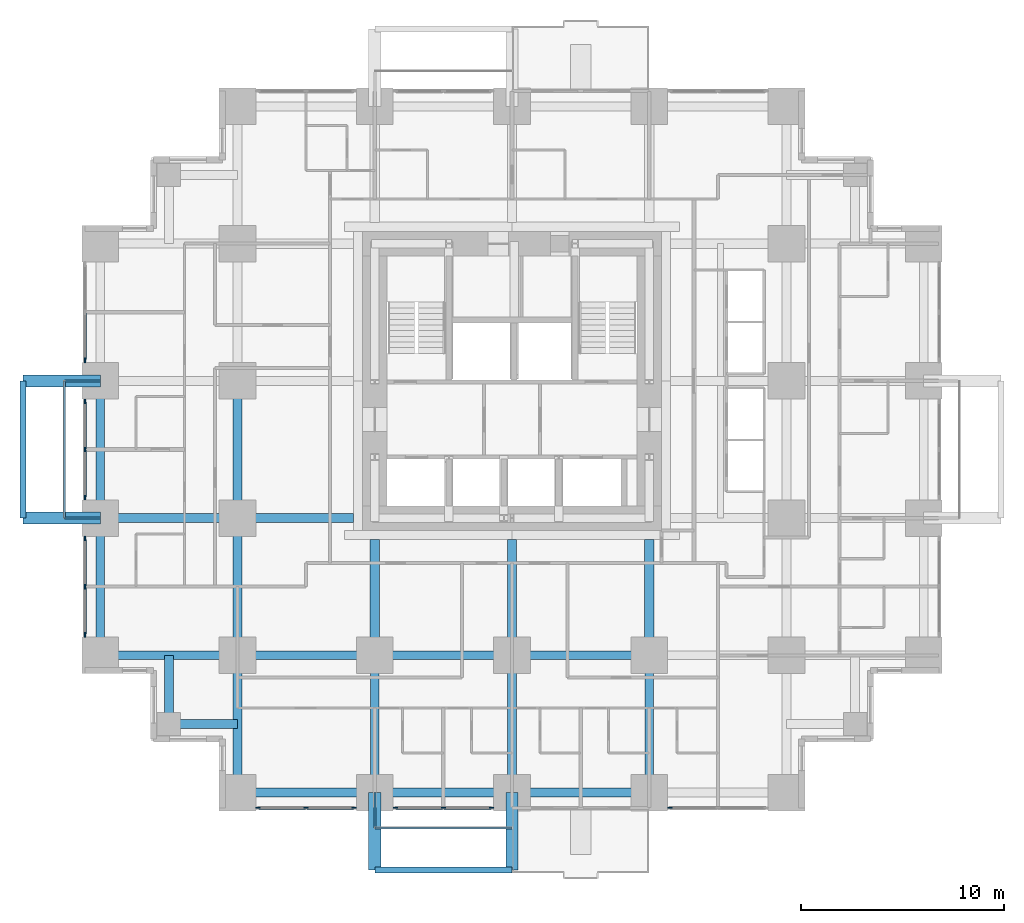
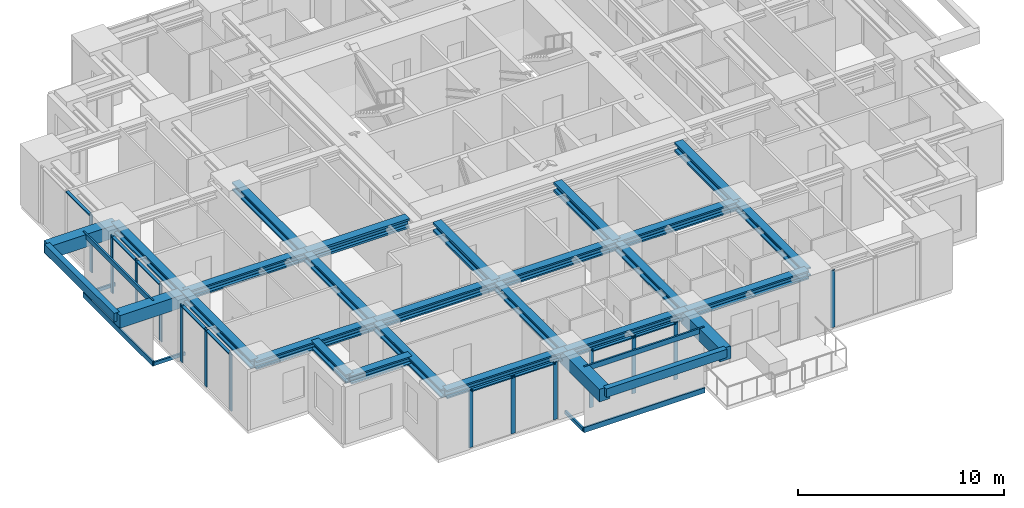
# One storey, part 2 of 12: 30 members, 28 beams, 6 elements without a shape of their own.
"""IFC4 building model written with IfcOpenShell, lengths in metres."""

from ifc_helpers import new_model, si_unit, direction, frame, origin, origin_2d, place, context, subcontext, project, spatial, rectangle, hollow_rectangle, i_section, extrude, material, material_profile, profile_set, type_object, element, aggregate, save


model = new_model("IFC4")

# Units and contexts
model_context = context("Model", 3, precision=1e-05, world=origin(), true_north=direction((0.0, 1.0)))
body_context = subcontext(model_context, "Body", "Model", "MODEL_VIEW")
ifc_project = project(units=[si_unit("LENGTHUNIT", "METRE"), si_unit("AREAUNIT", "SQUARE_METRE"), si_unit("VOLUMEUNIT", "CUBIC_METRE"), si_unit("PLANEANGLEUNIT", "RADIAN"), si_unit("MASSUNIT", "GRAM", prefix="KILO")], contexts=[model_context])

# Site, building, storey
site_placement = place(None, origin())
site = spatial("IfcSite", under=ifc_project, at=site_placement, CompositionType="ELEMENT")
building_placement = place(site_placement, origin())
building = spatial("IfcBuilding", under=site, at=building_placement, Name="Nyansa Garden Tower", CompositionType="ELEMENT")
storey_placement = place(building_placement, frame((0.0, 0.0, 90.89990234375)))
storey = spatial("IfcBuildingStorey", under=building, at=storey_placement, Name="L24", CompositionType="ELEMENT", Elevation=90.89990234375)

# Beams
ifc_material_1 = material(Name="Concrete C70/85", Category="concrete")
ifc_material_profile_1 = material_profile(ifc_material_1, rectangle(XDim=0.60009765625, YDim=0.75, at=origin_2d()), Name="RC 600x750")
ifc_profile_set_1 = profile_set([ifc_material_profile_1], Name="Concrete C70/85")
beam_type_1 = type_object("IfcBeamType", Name="Balcony cantilever beam CB1 RC 600x750", PredefinedType="BEAM", material=ifc_profile_set_1)
for number, where, z_axis, x_axis, name in (
    (1, (13.5, 0.0, 2.985107421875), (0.0, -1.0, 0.0), (1.0, 0.0, 0.0), "Balcony cantilever beam L25"),
    (2, (20.25, 0.0, 2.985107421875), (0.0, -1.0, 0.0), (1.0, 0.0, 0.0), "Balcony cantilever beam L25"),
    (3, (0.0, 13.5, 2.985107421875), (-1.0, 0.0, 0.0), (0.0, -1.0, 0.0), "Balcony cantilever beam L25"),
    (4, (0.0, 20.25, 2.985107421875), (-1.0, 0.0, 0.0), (0.0, -1.0, 0.0), "Balcony cantilever beam L25"),
):
    element("IfcBeam", number, at=place(storey_placement, frame(where, z_axis=z_axis, x_axis=x_axis)), inside=storey, type_object=beam_type_1, Name=name, PredefinedType="BEAM", context=body_context, shape_type="SweptSolid", body=[
        extrude(rectangle(XDim=0.60009765625, YDim=0.75, at=origin_2d()), origin(), (0.0, 0.0, 1.0), 3.800048828125),
    ])
ifc_material_2 = material(Name="Concrete C70/85", Category="concrete")
ifc_material_profile_2 = material_profile(ifc_material_2, rectangle(XDim=0.300048828125, YDim=0.5, at=origin_2d()), Name="RC 300x500")
ifc_profile_set_2 = profile_set([ifc_material_profile_2], Name="Concrete C70/85")
beam_type_2 = type_object("IfcBeamType", Name="Balcony edge beam BE1 RC 300x500", PredefinedType="BEAM", material=ifc_profile_set_2)
for number, where, z_axis, x_axis, name in (
    (5, (13.5, -3.800048828125, 3.110107421875), (1.0, 0.0, 0.0), (0.0, 1.0, 0.0), "Balcony edge beam L25"),
    (6, (-3.800048828125, 13.5, 3.110107421875), (0.0, 1.0, 0.0), (-1.0, 0.0, 0.0), "Balcony edge beam L25"),
):
    element("IfcBeam", number, at=place(storey_placement, frame(where, z_axis=z_axis, x_axis=x_axis)), inside=storey, type_object=beam_type_2, Name=name, PredefinedType="BEAM", context=body_context, shape_type="SweptSolid", body=[
        extrude(rectangle(XDim=0.300048828125, YDim=0.5, at=origin_2d()), origin(), (0.0, 0.0, 1.0), 6.75),
    ])

# Curtain wall, member
ifc_material_3 = material(Name="Black anodised aluminium, dark tinted double glazing", Category="aluminium")
curtain_wall_type = type_object("IfcCurtainWallType", Name="Inner skin curtain wall ISW-B", PredefinedType="USERDEFINED", material=ifc_material_3)
curtain_wall_1_placement = place(storey_placement, origin())
curtain_wall_1 = element("IfcCurtainWall", 7, at=curtain_wall_1_placement, inside=storey, type_object=curtain_wall_type, Name="Inner skin curtain wall L24 W", ObjectType="UNITISED CURTAIN WALL", PredefinedType="USERDEFINED")
ifc_material_4 = material(Name="Black anodised aluminium", Category="aluminium")
ifc_material_profile_3 = material_profile(ifc_material_4, rectangle(XDim=0.06494140625, YDim=0.22509765625, at=origin_2d()), Name="Mullion 225x65")
ifc_profile_set_3 = profile_set([ifc_material_profile_3], Name="Black anodised aluminium")
member_type_1 = type_object("IfcMemberType", Name="Mullion ISW-B 225x65", PredefinedType="MULLION", material=ifc_profile_set_3)
member_1_placement = place(storey_placement, frame((-0.75, 21.262451171875, 0.0), z_axis=(0.0, 0.0, 1.0), x_axis=(1.0, 0.0, 0.0)))
member_1 = element("IfcMember", 8, at=member_1_placement, type_object=member_type_1, Name="ISW-B mullion 3", PredefinedType="MULLION", context=body_context, shape_type="SweptSolid", body=[
    extrude(rectangle(XDim=0.06494140625, YDim=0.22509765625, at=origin_2d()), origin(), (0.0, 0.0, 1.0), 3.375),
])

# Curtain wall, members
curtain_wall_2_placement = place(storey_placement, origin())
curtain_wall_2 = element("IfcCurtainWall", 9, at=curtain_wall_2_placement, inside=storey, type_object=curtain_wall_type, Name="Inner skin curtain wall L24 W", ObjectType="UNITISED CURTAIN WALL", PredefinedType="USERDEFINED")
member_2_placement = place(storey_placement, frame((-0.75, 19.237548828125, 0.0), z_axis=(0.0, 0.0, 1.0), x_axis=(1.0, 0.0, 0.0)))
member_2 = element("IfcMember", 10, at=member_2_placement, type_object=member_type_1, Name="ISW-B mullion 1", PredefinedType="MULLION", context=body_context, shape_type="SweptSolid", body=[
    extrude(rectangle(XDim=0.06494140625, YDim=0.22509765625, at=origin_2d()), origin(), (0.0, 0.0, 1.0), 3.375),
])
member_3_placement = place(storey_placement, frame((-0.75, 16.875, 0.0), z_axis=(0.0, 0.0, 1.0), x_axis=(1.0, 0.0, 0.0)))
member_3 = element("IfcMember", 11, at=member_3_placement, type_object=member_type_1, Name="ISW-B mullion 2", PredefinedType="MULLION", context=body_context, shape_type="SweptSolid", body=[
    extrude(rectangle(XDim=0.06494140625, YDim=0.22509765625, at=origin_2d()), origin(), (0.0, 0.0, 1.0), 3.375),
])
member_4_placement = place(storey_placement, frame((-0.75, 14.512451171875, 0.0), z_axis=(0.0, 0.0, 1.0), x_axis=(1.0, 0.0, 0.0)))
member_4 = element("IfcMember", 12, at=member_4_placement, type_object=member_type_1, Name="ISW-B mullion 3", PredefinedType="MULLION", context=body_context, shape_type="SweptSolid", body=[
    extrude(rectangle(XDim=0.06494140625, YDim=0.22509765625, at=origin_2d()), origin(), (0.0, 0.0, 1.0), 3.375),
])

curtain_wall_3_placement = place(storey_placement, origin())
curtain_wall_3 = element("IfcCurtainWall", 13, at=curtain_wall_3_placement, inside=storey, type_object=curtain_wall_type, Name="Inner skin curtain wall L24 W", ObjectType="UNITISED CURTAIN WALL", PredefinedType="USERDEFINED")
member_5_placement = place(storey_placement, frame((-0.75, 12.487548828125, 0.0), z_axis=(0.0, 0.0, 1.0), x_axis=(1.0, 0.0, 0.0)))
member_5 = element("IfcMember", 14, at=member_5_placement, type_object=member_type_1, Name="ISW-B mullion 1", PredefinedType="MULLION", context=body_context, shape_type="SweptSolid", body=[
    extrude(rectangle(XDim=0.06494140625, YDim=0.22509765625, at=origin_2d()), origin(), (0.0, 0.0, 1.0), 3.375),
])
member_6_placement = place(storey_placement, frame((-0.75, 10.125, 0.0), z_axis=(0.0, 0.0, 1.0), x_axis=(1.0, 0.0, 0.0)))
member_6 = element("IfcMember", 15, at=member_6_placement, type_object=member_type_1, Name="ISW-B mullion 2", PredefinedType="MULLION", context=body_context, shape_type="SweptSolid", body=[
    extrude(rectangle(XDim=0.06494140625, YDim=0.22509765625, at=origin_2d()), origin(), (0.0, 0.0, 1.0), 3.375),
])
member_7_placement = place(storey_placement, frame((-0.75, 7.762451171875, 0.0), z_axis=(0.0, 0.0, 1.0), x_axis=(1.0, 0.0, 0.0)))
member_7 = element("IfcMember", 16, at=member_7_placement, type_object=member_type_1, Name="ISW-B mullion 3", PredefinedType="MULLION", context=body_context, shape_type="SweptSolid", body=[
    extrude(rectangle(XDim=0.06494140625, YDim=0.22509765625, at=origin_2d()), origin(), (0.0, 0.0, 1.0), 3.375),
])

curtain_wall_4_placement = place(storey_placement, origin())
curtain_wall_4 = element("IfcCurtainWall", 17, at=curtain_wall_4_placement, inside=storey, type_object=curtain_wall_type, Name="Inner skin curtain wall L24 S", ObjectType="UNITISED CURTAIN WALL", PredefinedType="USERDEFINED")
member_8_placement = place(storey_placement, frame((7.762451171875, -0.75, 0.0), z_axis=(0.0, 0.0, 1.0), x_axis=(0.0, 1.0, 0.0)))
member_8 = element("IfcMember", 18, at=member_8_placement, type_object=member_type_1, Name="ISW-B mullion 1", PredefinedType="MULLION", context=body_context, shape_type="SweptSolid", body=[
    extrude(rectangle(XDim=0.06494140625, YDim=0.22509765625, at=origin_2d()), origin(), (0.0, 0.0, 1.0), 3.375),
])
member_9_placement = place(storey_placement, frame((10.125, -0.75, 0.0), z_axis=(0.0, 0.0, 1.0), x_axis=(0.0, 1.0, 0.0)))
member_9 = element("IfcMember", 19, at=member_9_placement, type_object=member_type_1, Name="ISW-B mullion 2", PredefinedType="MULLION", context=body_context, shape_type="SweptSolid", body=[
    extrude(rectangle(XDim=0.06494140625, YDim=0.22509765625, at=origin_2d()), origin(), (0.0, 0.0, 1.0), 3.375),
])
member_10_placement = place(storey_placement, frame((12.487548828125, -0.75, 0.0), z_axis=(0.0, 0.0, 1.0), x_axis=(0.0, 1.0, 0.0)))
member_10 = element("IfcMember", 20, at=member_10_placement, type_object=member_type_1, Name="ISW-B mullion 3", PredefinedType="MULLION", context=body_context, shape_type="SweptSolid", body=[
    extrude(rectangle(XDim=0.06494140625, YDim=0.22509765625, at=origin_2d()), origin(), (0.0, 0.0, 1.0), 3.375),
])

curtain_wall_5_placement = place(storey_placement, origin())
curtain_wall_5 = element("IfcCurtainWall", 21, at=curtain_wall_5_placement, inside=storey, type_object=curtain_wall_type, Name="Inner skin curtain wall L24 S", ObjectType="UNITISED CURTAIN WALL", PredefinedType="USERDEFINED")
member_11_placement = place(storey_placement, frame((14.512451171875, -0.75, 0.0), z_axis=(0.0, 0.0, 1.0), x_axis=(0.0, 1.0, 0.0)))
member_11 = element("IfcMember", 22, at=member_11_placement, type_object=member_type_1, Name="ISW-B mullion 1", PredefinedType="MULLION", context=body_context, shape_type="SweptSolid", body=[
    extrude(rectangle(XDim=0.06494140625, YDim=0.22509765625, at=origin_2d()), origin(), (0.0, 0.0, 1.0), 3.375),
])
member_12_placement = place(storey_placement, frame((16.875, -0.75, 0.0), z_axis=(0.0, 0.0, 1.0), x_axis=(0.0, 1.0, 0.0)))
member_12 = element("IfcMember", 23, at=member_12_placement, type_object=member_type_1, Name="ISW-B mullion 2", PredefinedType="MULLION", context=body_context, shape_type="SweptSolid", body=[
    extrude(rectangle(XDim=0.06494140625, YDim=0.22509765625, at=origin_2d()), origin(), (0.0, 0.0, 1.0), 3.375),
])
member_13_placement = place(storey_placement, frame((19.237548828125, -0.75, 0.0), z_axis=(0.0, 0.0, 1.0), x_axis=(0.0, 1.0, 0.0)))
member_13 = element("IfcMember", 24, at=member_13_placement, type_object=member_type_1, Name="ISW-B mullion 3", PredefinedType="MULLION", context=body_context, shape_type="SweptSolid", body=[
    extrude(rectangle(XDim=0.06494140625, YDim=0.22509765625, at=origin_2d()), origin(), (0.0, 0.0, 1.0), 3.375),
])

# Curtain wall, member
curtain_wall_6_placement = place(storey_placement, origin())
curtain_wall_6 = element("IfcCurtainWall", 25, at=curtain_wall_6_placement, inside=storey, type_object=curtain_wall_type, Name="Inner skin curtain wall L24 S", ObjectType="UNITISED CURTAIN WALL", PredefinedType="USERDEFINED")
member_14_placement = place(storey_placement, frame((28.012451171875, -0.75, 0.0), z_axis=(0.0, 0.0, 1.0), x_axis=(0.0, 1.0, 0.0)))
member_14 = element("IfcMember", 26, at=member_14_placement, type_object=member_type_1, Name="ISW-B mullion 1", PredefinedType="MULLION", context=body_context, shape_type="SweptSolid", body=[
    extrude(rectangle(XDim=0.06494140625, YDim=0.22509765625, at=origin_2d()), origin(), (0.0, 0.0, 1.0), 3.375),
])
aggregate(curtain_wall_6, [member_14])

# Members
ifc_material_5 = material(Name="Steel S355, black powder coated", Category="steel")
ifc_material_profile_4 = material_profile(ifc_material_5, hollow_rectangle(XDim=0.10009765625, YDim=0.199951171875, WallThickness=0.008056640625, at=origin_2d()), Name="RHS 200x100x8")
ifc_profile_set_4 = profile_set([ifc_material_profile_4], Name="Steel S355, black powder coated")
member_type_2 = type_object("IfcMemberType", Name="Outer skin bracket arm RHS 200x100x8", PredefinedType="USERDEFINED", material=ifc_profile_set_4)
for number, where, z_axis, x_axis, name in (
    (27, (0.0, 13.5, -0.375), (-1.0, 0.0, 0.0), (0.0, -1.0, 0.0), "Outer skin bracket arm"),
    (28, (0.0, 20.25, -0.375), (-1.0, 0.0, 0.0), (0.0, -1.0, 0.0), "Outer skin bracket arm"),
    (29, (13.5, 0.0, -0.375), (0.0, -1.0, 0.0), (1.0, 0.0, 0.0), "Outer skin bracket arm"),
):
    element("IfcMember", number, at=place(storey_placement, frame(where, z_axis=z_axis, x_axis=x_axis)), inside=storey, type_object=member_type_2, Name=name, ObjectType="OUTER SKIN BRACKET", PredefinedType="USERDEFINED", context=body_context, shape_type="SweptSolid", body=[
        extrude(hollow_rectangle(XDim=0.10009765625, YDim=0.199951171875, WallThickness=0.008056640625, at=origin_2d()), origin(), (0.0, 0.0, 1.0), 1.75),
    ])
ifc_material_6 = material(Name="Steel S355, black powder coated", Category="steel")
ifc_material_profile_5 = material_profile(ifc_material_6, hollow_rectangle(XDim=0.10009765625, YDim=0.300048828125, WallThickness=0.010009765625, at=origin_2d()), Name="RHS 300x100x10")
ifc_profile_set_5 = profile_set([ifc_material_profile_5], Name="Steel S355, black powder coated")
member_type_3 = type_object("IfcMemberType", Name="Outer skin rail RHS 300x100x10", PredefinedType="USERDEFINED", material=ifc_profile_set_5)
for number, where, z_axis, x_axis, name in (
    (30, (-1.75, 13.5, -0.375), (0.0, 1.0, 0.0), (-1.0, 0.0, 0.0), "Outer skin rail L24"),
    (31, (-1.75, 13.5, 3.22509765625), (0.0, 1.0, 0.0), (-1.0, 0.0, 0.0), "Outer skin rail L24 head"),
    (32, (13.5, -1.75, -0.375), (1.0, 0.0, 0.0), (0.0, 1.0, 0.0), "Outer skin rail L24"),
    (33, (13.5, -1.75, 3.22509765625), (1.0, 0.0, 0.0), (0.0, 1.0, 0.0), "Outer skin rail L24 head"),
):
    element("IfcMember", number, at=place(storey_placement, frame(where, z_axis=z_axis, x_axis=x_axis)), inside=storey, type_object=member_type_3, Name=name, ObjectType="OUTER SKIN RAIL", PredefinedType="USERDEFINED", context=body_context, shape_type="SweptSolid", body=[
        extrude(hollow_rectangle(XDim=0.10009765625, YDim=0.300048828125, WallThickness=0.010009765625, at=origin_2d()), origin(), (0.0, 0.0, 1.0), 6.75),
    ])

# Beams
ifc_material_7 = material(Name="Steel S355", Category="steel")
ifc_material_profile_6 = material_profile(ifc_material_7, i_section(OverallWidth=0.431884765625, OverallDepth=0.498046875, WebThickness=0.0556640625, FlangeThickness=0.0888671875, FilletRadius=0.014892578125, at=origin_2d()), Name="HD 400x744")
ifc_profile_set_6 = profile_set([ifc_material_profile_6], Name="Steel S355")
beam_type_3 = type_object("IfcBeamType", Name="Steel beam SBB1-744 HD 400x744", PredefinedType="BEAM", material=ifc_profile_set_6)
for number, where, z_axis, x_axis, name in (
    (34, (0.0, 6.75, 3.1259765625), (1.0, 0.0, 0.0), (0.0, 1.0, 0.0), "Steel beam 2/E-3/E L25"),
    (35, (0.0, 13.5, 3.1259765625), (1.0, 0.0, 0.0), (0.0, 1.0, 0.0), "Steel beam 2/F-3/F L25"),
    (36, (6.75, 0.0, 3.1259765625), (0.0, 1.0, 0.0), (-1.0, 0.0, 0.0), "Steel beam 3/D-3/E L25"),
    (37, (6.75, 6.75, 3.1259765625), (0.0, 1.0, 0.0), (-1.0, 0.0, 0.0), "Steel beam 3/E-3/F L25"),
    (38, (6.75, 6.75, 3.1259765625), (1.0, 0.0, 0.0), (0.0, 1.0, 0.0), "Steel beam 3/E-4/E L25"),
    (39, (6.75, 13.5, 3.1259765625), (0.0, 1.0, 0.0), (-1.0, 0.0, 0.0), "Steel beam 3/F-3/G L25"),
    (40, (13.5, 0.0, 3.1259765625), (0.0, 1.0, 0.0), (-1.0, 0.0, 0.0), "Steel beam 4/D-4/E L25"),
    (41, (13.5, 6.75, 3.1259765625), (1.0, 0.0, 0.0), (0.0, 1.0, 0.0), "Steel beam 4/E-5/E L25"),
    (42, (20.25, 0.0, 3.1259765625), (0.0, 1.0, 0.0), (-1.0, 0.0, 0.0), "Steel beam 5/D-5/E L25"),
    (43, (20.25, 6.75, 3.1259765625), (1.0, 0.0, 0.0), (0.0, 1.0, 0.0), "Steel beam 5/E-6/E L25"),
    (44, (27.0, 0.0, 3.1259765625), (0.0, 1.0, 0.0), (-1.0, 0.0, 0.0), "Steel beam 6/D-6/E L25"),
):
    element("IfcBeam", number, at=place(storey_placement, frame(where, z_axis=z_axis, x_axis=x_axis)), inside=storey, type_object=beam_type_3, Name=name, PredefinedType="BEAM", context=body_context, shape_type="SweptSolid", body=[
        extrude(i_section(OverallWidth=0.431884765625, OverallDepth=0.498046875, WebThickness=0.0556640625, FlangeThickness=0.0888671875, FilletRadius=0.014892578125, at=origin_2d()), origin(), (0.0, 0.0, 1.0), 6.75),
    ])
ifc_material_8 = material(Name="Steel S355", Category="steel")
ifc_material_profile_7 = material_profile(ifc_material_8, i_section(OverallWidth=0.4541015625, OverallDepth=0.569091796875, WebThickness=0.077880859375, FlangeThickness=0.125, FilletRadius=0.014892578125, at=origin_2d()), Name="HD 400x1086")
ifc_profile_set_7 = profile_set([ifc_material_profile_7], Name="Steel S355")
beam_type_4 = type_object("IfcBeamType", Name="Steel beam SCL-1086 HD 400x1086", PredefinedType="BEAM", material=ifc_profile_set_7)
for number, where, z_axis, x_axis, name in (
    (45, (6.75, 13.5, 3.090576171875), (1.0, 0.0, 0.0), (0.0, 1.0, 0.0), "Steel beam 3/F-12.450/F L25"),
    (46, (13.5, 6.75, 3.090576171875), (0.0, 1.0, 0.0), (-1.0, 0.0, 0.0), "Steel beam 4/E-4/12.450 L25"),
    (47, (20.25, 6.75, 3.090576171875), (0.0, 1.0, 0.0), (-1.0, 0.0, 0.0), "Steel beam 5/E-5/12.450 L25"),
    (48, (27.0, 6.75, 3.090576171875), (0.0, 1.0, 0.0), (-1.0, 0.0, 0.0), "Steel beam 6/E-6/12.450 L25"),
):
    element("IfcBeam", number, at=place(storey_placement, frame(where, z_axis=z_axis, x_axis=x_axis)), inside=storey, type_object=beam_type_4, Name=name, PredefinedType="BEAM", context=body_context, shape_type="SweptSolid", body=[
        extrude(i_section(OverallWidth=0.4541015625, OverallDepth=0.569091796875, WebThickness=0.077880859375, FlangeThickness=0.125, FilletRadius=0.014892578125, at=origin_2d()), origin(), (0.0, 0.0, 1.0), 5.699951171875),
    ])
ifc_material_9 = material(Name="Steel S355", Category="steel")
ifc_material_profile_8 = material_profile(ifc_material_9, i_section(OverallWidth=0.431884765625, OverallDepth=0.498046875, WebThickness=0.0556640625, FlangeThickness=0.0888671875, FilletRadius=0.014892578125, at=origin_2d()), Name="HD 400x744")
ifc_profile_set_8 = profile_set([ifc_material_profile_8], Name="Steel S355")
beam_type_5 = type_object("IfcBeamType", Name="Steel beam SEBB-744 HD 400x744", PredefinedType="BEAM", material=ifc_profile_set_8)
for number, where, z_axis, x_axis, name in (
    (49, (0.0, 6.75, 3.1259765625), (0.0, 1.0, 0.0), (-1.0, 0.0, 0.0), "Steel edge beam 2/E-2/F L25"),
    (50, (0.0, 13.5, 3.1259765625), (0.0, 1.0, 0.0), (-1.0, 0.0, 0.0), "Steel edge beam 2/F-2/G L25"),
    (51, (6.75, 0.0, 3.1259765625), (1.0, 0.0, 0.0), (0.0, 1.0, 0.0), "Steel edge beam 3/D-4/D L25"),
    (52, (13.5, 0.0, 3.1259765625), (1.0, 0.0, 0.0), (0.0, 1.0, 0.0), "Steel edge beam 4/D-5/D L25"),
    (53, (20.25, 0.0, 3.1259765625), (1.0, 0.0, 0.0), (0.0, 1.0, 0.0), "Steel edge beam 5/D-6/D L25"),
):
    element("IfcBeam", number, at=place(storey_placement, frame(where, z_axis=z_axis, x_axis=x_axis)), inside=storey, type_object=beam_type_5, Name=name, PredefinedType="BEAM", context=body_context, shape_type="SweptSolid", body=[
        extrude(i_section(OverallWidth=0.431884765625, OverallDepth=0.498046875, WebThickness=0.0556640625, FlangeThickness=0.0888671875, FilletRadius=0.014892578125, at=origin_2d()), origin(), (0.0, 0.0, 1.0), 6.75),
    ])
ifc_material_10 = material(Name="Steel S355", Category="steel")
ifc_material_profile_9 = material_profile(ifc_material_10, i_section(OverallWidth=0.431884765625, OverallDepth=0.498046875, WebThickness=0.0556640625, FlangeThickness=0.0888671875, FilletRadius=0.014892578125, at=origin_2d()), Name="HD 400x744")
ifc_profile_set_9 = profile_set([ifc_material_profile_9], Name="Steel S355")
beam_type_6 = type_object("IfcBeamType", Name="Steel beam SSB1-744 HD 400x744", PredefinedType="BEAM", material=ifc_profile_set_9)
for number, where, z_axis, x_axis, name in (
    (54, (3.375, 3.375, 3.1259765625), (0.0, 1.0, 0.0), (-1.0, 0.0, 0.0), "Steel step beam 3.375/3.375 L25"),
    (55, (3.375, 3.375, 3.1259765625), (1.0, 0.0, 0.0), (0.0, 1.0, 0.0), "Steel step beam 3.375/3.375 L25"),
):
    element("IfcBeam", number, at=place(storey_placement, frame(where, z_axis=z_axis, x_axis=x_axis)), inside=storey, type_object=beam_type_6, Name=name, PredefinedType="BEAM", context=body_context, shape_type="SweptSolid", body=[
        extrude(i_section(OverallWidth=0.431884765625, OverallDepth=0.498046875, WebThickness=0.0556640625, FlangeThickness=0.0888671875, FilletRadius=0.014892578125, at=origin_2d()), origin(), (0.0, 0.0, 1.0), 3.375),
    ])

# Member
ifc_material_11 = material(Name="Black anodised aluminium", Category="aluminium")
ifc_material_profile_10 = material_profile(ifc_material_11, rectangle(XDim=0.1650390625, YDim=0.06494140625, at=origin_2d()), Name="Transom 165x65")
ifc_profile_set_10 = profile_set([ifc_material_profile_10], Name="Black anodised aluminium")
member_type_4 = type_object("IfcMemberType", Name="Transom ISW-B 165x65", PredefinedType="USERDEFINED", material=ifc_profile_set_10)
member_15_placement = place(storey_placement, frame((-0.75, 23.592529296875, 3.342529296875), z_axis=(0.0, -1.0, 0.0), x_axis=(1.0, 0.0, 0.0)))
member_15 = element("IfcMember", 56, at=member_15_placement, type_object=member_type_4, Name="ISW-B transom 2", ObjectType="TRANSOM", PredefinedType="USERDEFINED", context=body_context, shape_type="SweptSolid", body=[
    extrude(rectangle(XDim=0.1650390625, YDim=0.06494140625, at=origin_2d()), origin(), (0.0, 0.0, 1.0), 2.297607421875),
])

aggregate(curtain_wall_1, [member_1, member_15])

member_16_placement = place(storey_placement, frame((-0.75, 19.205078125, 3.342529296875), z_axis=(0.0, -1.0, 0.0), x_axis=(1.0, 0.0, 0.0)))
member_16 = element("IfcMember", 57, at=member_16_placement, type_object=member_type_4, Name="ISW-B transom 1", ObjectType="TRANSOM", PredefinedType="USERDEFINED", context=body_context, shape_type="SweptSolid", body=[
    extrude(rectangle(XDim=0.1650390625, YDim=0.06494140625, at=origin_2d()), origin(), (0.0, 0.0, 1.0), 2.297607421875),
])

member_17_placement = place(storey_placement, frame((-0.75, 16.842529296875, 3.342529296875), z_axis=(0.0, -1.0, 0.0), x_axis=(1.0, 0.0, 0.0)))
member_17 = element("IfcMember", 58, at=member_17_placement, type_object=member_type_4, Name="ISW-B transom 2", ObjectType="TRANSOM", PredefinedType="USERDEFINED", context=body_context, shape_type="SweptSolid", body=[
    extrude(rectangle(XDim=0.1650390625, YDim=0.06494140625, at=origin_2d()), origin(), (0.0, 0.0, 1.0), 2.297607421875),
])

aggregate(curtain_wall_2, [member_2, member_3, member_4, member_16, member_17])

member_18_placement = place(storey_placement, frame((-0.75, 12.455078125, 3.342529296875), z_axis=(0.0, -1.0, 0.0), x_axis=(1.0, 0.0, 0.0)))
member_18 = element("IfcMember", 59, at=member_18_placement, type_object=member_type_4, Name="ISW-B transom 1", ObjectType="TRANSOM", PredefinedType="USERDEFINED", context=body_context, shape_type="SweptSolid", body=[
    extrude(rectangle(XDim=0.1650390625, YDim=0.06494140625, at=origin_2d()), origin(), (0.0, 0.0, 1.0), 2.297607421875),
])

member_19_placement = place(storey_placement, frame((-0.75, 10.092529296875, 3.342529296875), z_axis=(0.0, -1.0, 0.0), x_axis=(1.0, 0.0, 0.0)))
member_19 = element("IfcMember", 60, at=member_19_placement, type_object=member_type_4, Name="ISW-B transom 2", ObjectType="TRANSOM", PredefinedType="USERDEFINED", context=body_context, shape_type="SweptSolid", body=[
    extrude(rectangle(XDim=0.1650390625, YDim=0.06494140625, at=origin_2d()), origin(), (0.0, 0.0, 1.0), 2.297607421875),
])

aggregate(curtain_wall_3, [member_5, member_6, member_7, member_18, member_19])

member_20_placement = place(storey_placement, frame((7.794921875, -0.75, 3.342529296875), z_axis=(1.0, 0.0, 0.0), x_axis=(0.0, 1.0, 0.0)))
member_20 = element("IfcMember", 61, at=member_20_placement, type_object=member_type_4, Name="ISW-B transom 1", ObjectType="TRANSOM", PredefinedType="USERDEFINED", context=body_context, shape_type="SweptSolid", body=[
    extrude(rectangle(XDim=0.1650390625, YDim=0.06494140625, at=origin_2d()), origin(), (0.0, 0.0, 1.0), 2.297607421875),
])

member_21_placement = place(storey_placement, frame((10.157470703125, -0.75, 3.342529296875), z_axis=(1.0, 0.0, 0.0), x_axis=(0.0, 1.0, 0.0)))
member_21 = element("IfcMember", 62, at=member_21_placement, type_object=member_type_4, Name="ISW-B transom 2", ObjectType="TRANSOM", PredefinedType="USERDEFINED", context=body_context, shape_type="SweptSolid", body=[
    extrude(rectangle(XDim=0.1650390625, YDim=0.06494140625, at=origin_2d()), origin(), (0.0, 0.0, 1.0), 2.297607421875),
])

aggregate(curtain_wall_4, [member_8, member_9, member_10, member_20, member_21])

member_22_placement = place(storey_placement, frame((14.544921875, -0.75, 3.342529296875), z_axis=(1.0, 0.0, 0.0), x_axis=(0.0, 1.0, 0.0)))
member_22 = element("IfcMember", 63, at=member_22_placement, type_object=member_type_4, Name="ISW-B transom 1", ObjectType="TRANSOM", PredefinedType="USERDEFINED", context=body_context, shape_type="SweptSolid", body=[
    extrude(rectangle(XDim=0.1650390625, YDim=0.06494140625, at=origin_2d()), origin(), (0.0, 0.0, 1.0), 2.297607421875),
])

member_23_placement = place(storey_placement, frame((16.907470703125, -0.75, 3.342529296875), z_axis=(1.0, 0.0, 0.0), x_axis=(0.0, 1.0, 0.0)))
member_23 = element("IfcMember", 64, at=member_23_placement, type_object=member_type_4, Name="ISW-B transom 2", ObjectType="TRANSOM", PredefinedType="USERDEFINED", context=body_context, shape_type="SweptSolid", body=[
    extrude(rectangle(XDim=0.1650390625, YDim=0.06494140625, at=origin_2d()), origin(), (0.0, 0.0, 1.0), 2.297607421875),
])

aggregate(curtain_wall_5, [member_11, member_12, member_13, member_22, member_23])

save(model, "model.ifc")
